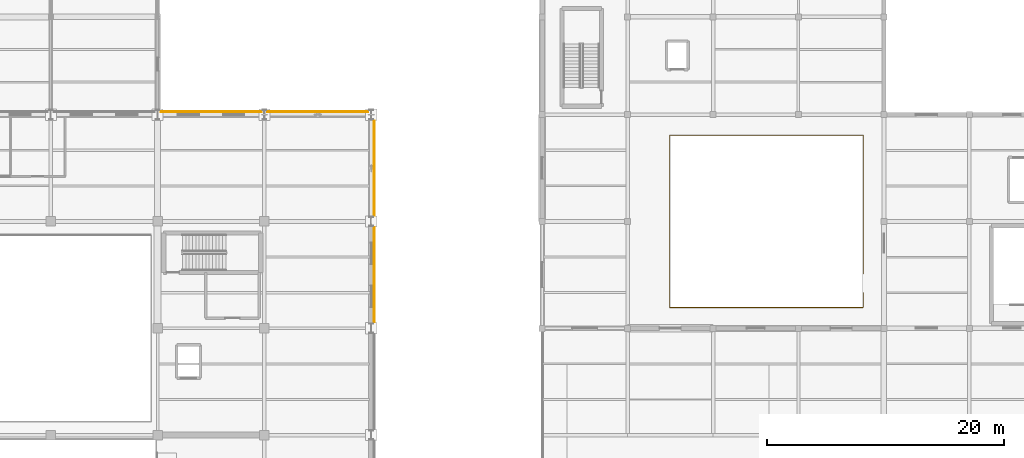
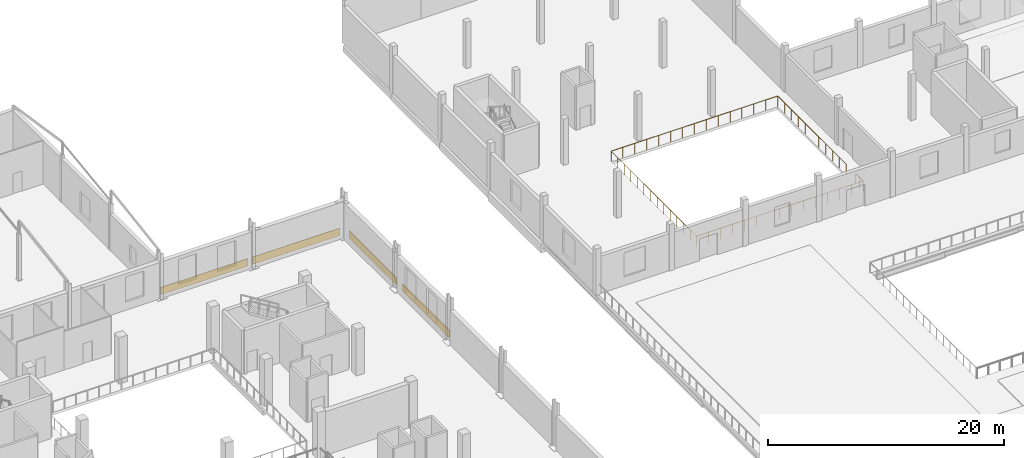
# One storey, part 52 of 54: 4 coverings, 1 railing.
"""IFC4 building model written with IfcOpenShell, lengths in metres."""

from ifc_helpers import new_model, si_unit, direction, frame, origin, origin_2d, place, context, subcontext, project, spatial, rectangle, circle, extrude, material, layer, layer_set, type_object, element, save


model = new_model("IFC4")

# Units and contexts
model_context = context("Model", 3, precision=1e-05, world=origin(), true_north=direction((0.0, 1.0)))
body_context = subcontext(model_context, "Body", "Model", "MODEL_VIEW")
ifc_project = project(units=[si_unit("LENGTHUNIT", "METRE"), si_unit("AREAUNIT", "SQUARE_METRE"), si_unit("VOLUMEUNIT", "CUBIC_METRE"), si_unit("PLANEANGLEUNIT", "RADIAN"), si_unit("MASSUNIT", "GRAM", prefix="KILO")], contexts=[model_context])

# Site, building, storey
site_placement = place(None, origin())
site = spatial("IfcSite", under=ifc_project, at=site_placement, CompositionType="ELEMENT")
building_placement = place(site_placement, origin())
building = spatial("IfcBuilding", under=site, at=building_placement, Name="Sundgate Opera House", CompositionType="ELEMENT")
storey_placement = place(building_placement, frame((0.0, 0.0, 16.800048828125)))
storey = spatial("IfcBuildingStorey", under=building, at=storey_placement, Name="L03", CompositionType="ELEMENT", Elevation=16.800048828125)

# Coverings
ifc_material_1 = material(Name="Deep-carved Komstad limestone relief panel", Category="masonry")
ifc_layer_1 = layer(ifc_material_1, 0.094970703125)
ifc_layer_set_1 = layer_set([ifc_layer_1], Name="Deep-carved Komstad limestone relief panel")
covering_type_1 = type_object("IfcCoveringType", Name="CV-TRENC-DEEP", PredefinedType="CLADDING", material=ifc_layer_set_1)
covering_1_placement = place(storey_placement, frame((67.5, 87.257568359375, 0.044921875), z_axis=(0.0, 0.0, 1.0), x_axis=(1.0, 0.0, 0.0)))
element("IfcCovering", 1, at=covering_1_placement, inside=storey, type_object=covering_type_1, Name="L03 Trencadis 750mm Relief Band CV0034", PredefinedType="CLADDING", context=body_context, shape_type="SweptSolid", body=[
    extrude(rectangle(XDim=8.510009765625, YDim=0.074951171875, at=origin_2d()), origin(), (0.0, 0.0, 1.0), 0.75),
])
covering_2_placement = place(storey_placement, frame((81.257568359375, 73.5, 0.044921875), z_axis=(0.0, 0.0, 1.0), x_axis=(0.0, 1.0, 0.0)))
element("IfcCovering", 2, at=covering_2_placement, inside=storey, type_object=covering_type_1, Name="L03 Trencadis 750mm Relief Band CV0046", PredefinedType="CLADDING", context=body_context, shape_type="SweptSolid", body=[
    extrude(rectangle(XDim=8.010009765625, YDim=0.074951171875, at=origin_2d()), origin(), (0.0, 0.0, 1.0), 0.75),
])
ifc_material_2 = material(Name="Polychrome trencadis mosaic panel", Category="masonry")
ifc_layer_2 = layer(ifc_material_2, 0.054931640625)
ifc_layer_set_2 = layer_set([ifc_layer_2], Name="Polychrome trencadis mosaic panel")
covering_type_2 = type_object("IfcCoveringType", Name="CV-TRENC-SLIM", PredefinedType="CLADDING", material=ifc_layer_set_2)
covering_3_placement = place(storey_placement, frame((76.5, 87.257568359375, 0.044921875), z_axis=(0.0, 0.0, 1.0), x_axis=(1.0, 0.0, 0.0)))
element("IfcCovering", 3, at=covering_3_placement, inside=storey, type_object=covering_type_2, Name="L03 Trencadis 750mm Relief Band CV0036", PredefinedType="CLADDING", context=body_context, shape_type="SweptSolid", body=[
    extrude(rectangle(XDim=8.510009765625, YDim=0.074951171875, at=origin_2d()), origin(), (0.0, 0.0, 1.0), 0.75),
])
covering_4_placement = place(storey_placement, frame((81.257568359375, 82.5, 0.044921875), z_axis=(0.0, 0.0, 1.0), x_axis=(0.0, 1.0, 0.0)))
element("IfcCovering", 4, at=covering_4_placement, inside=storey, type_object=covering_type_2, Name="L03 Trencadis 750mm Relief Band CV0048", PredefinedType="CLADDING", context=body_context, shape_type="SweptSolid", body=[
    extrude(rectangle(XDim=8.010009765625, YDim=0.074951171875, at=origin_2d()), origin(), (0.0, 0.0, 1.0), 0.75),
])

# Railing
ifc_material_3 = material(Name="Painted steel S275 guardrail", Category="steel")
railing_type = type_object("IfcRailingType", Name="RL-STAIR-GUARD-1100", PredefinedType="GUARDRAIL", material=ifc_material_3)
railing_placement = place(storey_placement, frame((122.449951171875, 72.0, 0.0)))
element("IfcRailing", 5, at=railing_placement, inside=storey, type_object=railing_type, Name="L03 Interior Guardrail RL0303", PredefinedType="GUARDRAIL", context=body_context, shape_type="SweptSolid", body=[
    extrude(circle(Radius=0.02392578125, at=origin_2d()), frame((0.0, 0.0, 1.076171875), z_axis=(0.0, -1.0, 0.0), x_axis=(1.0, 0.0, 0.0)), (0.0, 0.0, 1.0), 1.25),
    extrude(circle(Radius=0.02392578125, at=origin_2d()), frame((0.0, -1.25, 1.076171875), z_axis=(-1.0, 0.0, 0.0), x_axis=(0.0, -1.0, 0.0)), (0.0, 0.0, 1.0), 16.300048828125),
    extrude(circle(Radius=0.02392578125, at=origin_2d()), frame((-16.300048828125, -1.25, 1.076171875), z_axis=(0.0, 1.0, 0.0), x_axis=(-1.0, 0.0, 0.0)), (0.0, 0.0, 1.0), 14.5),
    extrude(circle(Radius=0.02392578125, at=origin_2d()), frame((-16.300048828125, 13.25, 1.076171875), z_axis=(1.0, 0.0, 0.0), x_axis=(0.0, 1.0, 0.0)), (0.0, 0.0, 1.0), 16.300048828125),
    extrude(circle(Radius=0.02392578125, at=origin_2d()), frame((0.0, 13.25, 1.076171875), z_axis=(0.0, -1.0, 0.0), x_axis=(1.0, 0.0, 0.0)), (0.0, 0.0, 1.0), 11.64990234375),
    extrude(circle(Radius=0.02099609375, at=origin_2d()), origin(), (0.0, 0.0, 1.0), 1.052001953125),
    extrude(circle(Radius=0.02099609375, at=origin_2d()), frame((0.0, -0.625, 0.0)), (0.0, 0.0, 1.0), 1.052001953125),
    extrude(circle(Radius=0.02099609375, at=origin_2d()), frame((0.0, -1.25, 0.0)), (0.0, 0.0, 1.0), 1.052001953125),
    extrude(circle(Radius=0.02099609375, at=origin_2d()), frame((-1.164306640625, -1.25, 0.0)), (0.0, 0.0, 1.0), 1.052001953125),
    extrude(circle(Radius=0.02099609375, at=origin_2d()), frame((-2.32861328125, -1.25, 0.0)), (0.0, 0.0, 1.0), 1.052001953125),
    extrude(circle(Radius=0.02099609375, at=origin_2d()), frame((-3.492919921875, -1.25, 0.0)), (0.0, 0.0, 1.0), 1.052001953125),
    extrude(circle(Radius=0.02099609375, at=origin_2d()), frame((-4.6572265625, -1.25, 0.0)), (0.0, 0.0, 1.0), 1.052001953125),
    extrude(circle(Radius=0.02099609375, at=origin_2d()), frame((-5.821533203125, -1.25, 0.0)), (0.0, 0.0, 1.0), 1.052001953125),
    extrude(circle(Radius=0.02099609375, at=origin_2d()), frame((-6.98583984375, -1.25, 0.0)), (0.0, 0.0, 1.0), 1.052001953125),
    extrude(circle(Radius=0.02099609375, at=origin_2d()), frame((-8.14990234375, -1.25, 0.0)), (0.0, 0.0, 1.0), 1.052001953125),
    extrude(circle(Radius=0.02099609375, at=origin_2d()), frame((-9.314208984375, -1.25, 0.0)), (0.0, 0.0, 1.0), 1.052001953125),
    extrude(circle(Radius=0.02099609375, at=origin_2d()), frame((-10.478515625, -1.25, 0.0)), (0.0, 0.0, 1.0), 1.052001953125),
    extrude(circle(Radius=0.02099609375, at=origin_2d()), frame((-11.642822265625, -1.25, 0.0)), (0.0, 0.0, 1.0), 1.052001953125),
    extrude(circle(Radius=0.02099609375, at=origin_2d()), frame((-12.80712890625, -1.25, 0.0)), (0.0, 0.0, 1.0), 1.052001953125),
    extrude(circle(Radius=0.02099609375, at=origin_2d()), frame((-13.971435546875, -1.25, 0.0)), (0.0, 0.0, 1.0), 1.052001953125),
    extrude(circle(Radius=0.02099609375, at=origin_2d()), frame((-15.1357421875, -1.25, 0.0)), (0.0, 0.0, 1.0), 1.052001953125),
    extrude(circle(Radius=0.02099609375, at=origin_2d()), frame((-16.300048828125, -1.25, 0.0)), (0.0, 0.0, 1.0), 1.052001953125),
    extrude(circle(Radius=0.02099609375, at=origin_2d()), frame((-16.300048828125, -0.134521484375, 0.0)), (0.0, 0.0, 1.0), 1.052001953125),
    extrude(circle(Radius=0.02099609375, at=origin_2d()), frame((-16.300048828125, 0.980712890625, 0.0)), (0.0, 0.0, 1.0), 1.052001953125),
    extrude(circle(Radius=0.02099609375, at=origin_2d()), frame((-16.300048828125, 2.09619140625, 0.0)), (0.0, 0.0, 1.0), 1.052001953125),
    extrude(circle(Radius=0.02099609375, at=origin_2d()), frame((-16.300048828125, 3.21142578125, 0.0)), (0.0, 0.0, 1.0), 1.052001953125),
    extrude(circle(Radius=0.02099609375, at=origin_2d()), frame((-16.300048828125, 4.326904296875, 0.0)), (0.0, 0.0, 1.0), 1.052001953125),
    extrude(circle(Radius=0.02099609375, at=origin_2d()), frame((-16.300048828125, 5.4423828125, 0.0)), (0.0, 0.0, 1.0), 1.052001953125),
    extrude(circle(Radius=0.02099609375, at=origin_2d()), frame((-16.300048828125, 6.5576171875, 0.0)), (0.0, 0.0, 1.0), 1.052001953125),
    extrude(circle(Radius=0.02099609375, at=origin_2d()), frame((-16.300048828125, 7.673095703125, 0.0)), (0.0, 0.0, 1.0), 1.052001953125),
    extrude(circle(Radius=0.02099609375, at=origin_2d()), frame((-16.300048828125, 8.78857421875, 0.0)), (0.0, 0.0, 1.0), 1.052001953125),
    extrude(circle(Radius=0.02099609375, at=origin_2d()), frame((-16.300048828125, 9.90380859375, 0.0)), (0.0, 0.0, 1.0), 1.052001953125),
    extrude(circle(Radius=0.02099609375, at=origin_2d()), frame((-16.300048828125, 11.019287109375, 0.0)), (0.0, 0.0, 1.0), 1.052001953125),
    extrude(circle(Radius=0.02099609375, at=origin_2d()), frame((-16.300048828125, 12.134521484375, 0.0)), (0.0, 0.0, 1.0), 1.052001953125),
    extrude(circle(Radius=0.02099609375, at=origin_2d()), frame((-16.300048828125, 13.25, 0.0)), (0.0, 0.0, 1.0), 1.052001953125),
    extrude(circle(Radius=0.02099609375, at=origin_2d()), frame((-15.1357421875, 13.25, 0.0)), (0.0, 0.0, 1.0), 1.052001953125),
    extrude(circle(Radius=0.02099609375, at=origin_2d()), frame((-13.971435546875, 13.25, 0.0)), (0.0, 0.0, 1.0), 1.052001953125),
    extrude(circle(Radius=0.02099609375, at=origin_2d()), frame((-12.80712890625, 13.25, 0.0)), (0.0, 0.0, 1.0), 1.052001953125),
    extrude(circle(Radius=0.02099609375, at=origin_2d()), frame((-11.642822265625, 13.25, 0.0)), (0.0, 0.0, 1.0), 1.052001953125),
    extrude(circle(Radius=0.02099609375, at=origin_2d()), frame((-10.478515625, 13.25, 0.0)), (0.0, 0.0, 1.0), 1.052001953125),
    extrude(circle(Radius=0.02099609375, at=origin_2d()), frame((-9.314208984375, 13.25, 0.0)), (0.0, 0.0, 1.0), 1.052001953125),
    extrude(circle(Radius=0.02099609375, at=origin_2d()), frame((-8.14990234375, 13.25, 0.0)), (0.0, 0.0, 1.0), 1.052001953125),
    extrude(circle(Radius=0.02099609375, at=origin_2d()), frame((-6.98583984375, 13.25, 0.0)), (0.0, 0.0, 1.0), 1.052001953125),
    extrude(circle(Radius=0.02099609375, at=origin_2d()), frame((-5.821533203125, 13.25, 0.0)), (0.0, 0.0, 1.0), 1.052001953125),
    extrude(circle(Radius=0.02099609375, at=origin_2d()), frame((-4.6572265625, 13.25, 0.0)), (0.0, 0.0, 1.0), 1.052001953125),
    extrude(circle(Radius=0.02099609375, at=origin_2d()), frame((-3.492919921875, 13.25, 0.0)), (0.0, 0.0, 1.0), 1.052001953125),
    extrude(circle(Radius=0.02099609375, at=origin_2d()), frame((-2.32861328125, 13.25, 0.0)), (0.0, 0.0, 1.0), 1.052001953125),
    extrude(circle(Radius=0.02099609375, at=origin_2d()), frame((-1.164306640625, 13.25, 0.0)), (0.0, 0.0, 1.0), 1.052001953125),
    extrude(circle(Radius=0.02099609375, at=origin_2d()), frame((0.0, 13.25, 0.0)), (0.0, 0.0, 1.0), 1.052001953125),
    extrude(circle(Radius=0.02099609375, at=origin_2d()), frame((0.0, 12.0849609375, 0.0)), (0.0, 0.0, 1.0), 1.052001953125),
    extrude(circle(Radius=0.02099609375, at=origin_2d()), frame((0.0, 10.919921875, 0.0)), (0.0, 0.0, 1.0), 1.052001953125),
    extrude(circle(Radius=0.02099609375, at=origin_2d()), frame((0.0, 9.755126953125, 0.0)), (0.0, 0.0, 1.0), 1.052001953125),
    extrude(circle(Radius=0.02099609375, at=origin_2d()), frame((0.0, 8.590087890625, 0.0)), (0.0, 0.0, 1.0), 1.052001953125),
    extrude(circle(Radius=0.02099609375, at=origin_2d()), frame((0.0, 7.425048828125, 0.0)), (0.0, 0.0, 1.0), 1.052001953125),
    extrude(circle(Radius=0.02099609375, at=origin_2d()), frame((0.0, 6.260009765625, 0.0)), (0.0, 0.0, 1.0), 1.052001953125),
    extrude(circle(Radius=0.02099609375, at=origin_2d()), frame((0.0, 5.094970703125, 0.0)), (0.0, 0.0, 1.0), 1.052001953125),
    extrude(circle(Radius=0.02099609375, at=origin_2d()), frame((0.0, 3.93017578125, 0.0)), (0.0, 0.0, 1.0), 1.052001953125),
    extrude(circle(Radius=0.02099609375, at=origin_2d()), frame((0.0, 2.76513671875, 0.0)), (0.0, 0.0, 1.0), 1.052001953125),
    extrude(circle(Radius=0.02099609375, at=origin_2d()), frame((0.0, 1.60009765625, 0.0)), (0.0, 0.0, 1.0), 1.052001953125),
])

save(model, "model.ifc")
